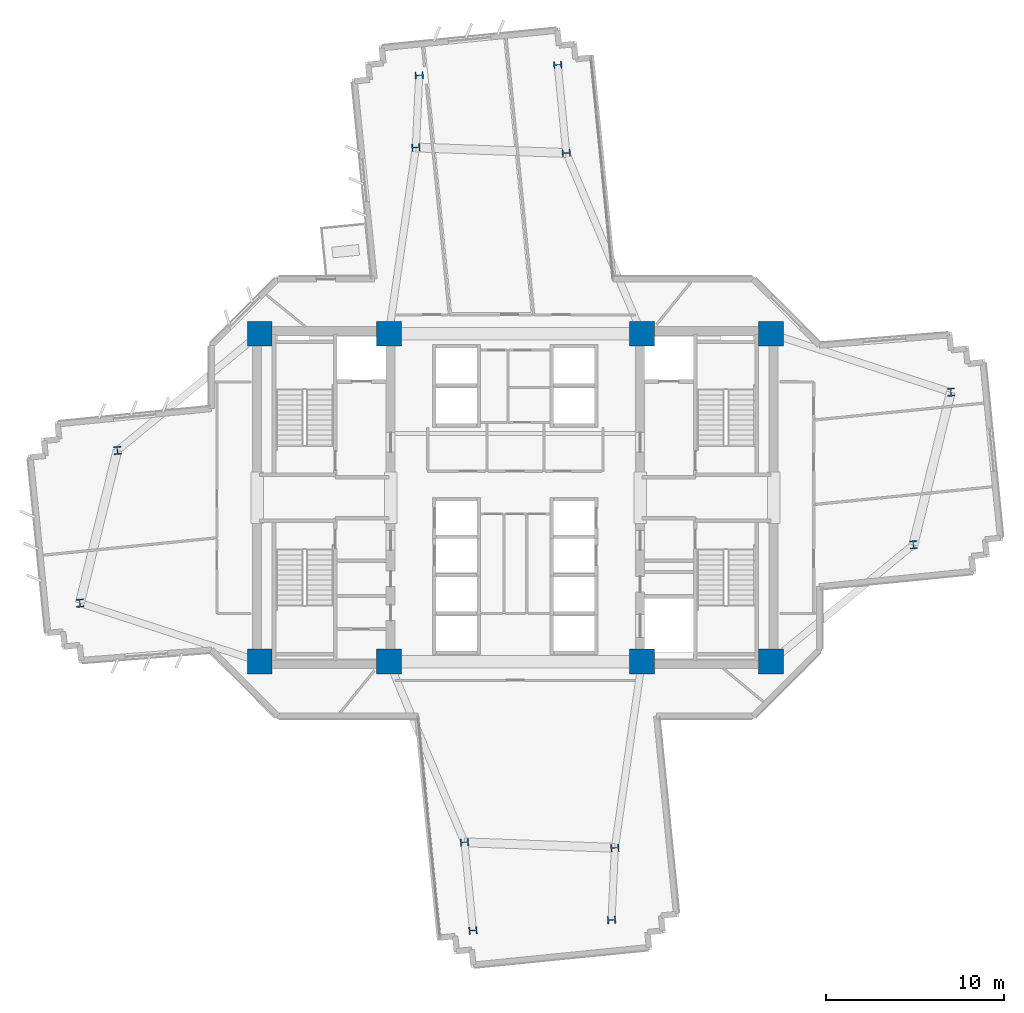
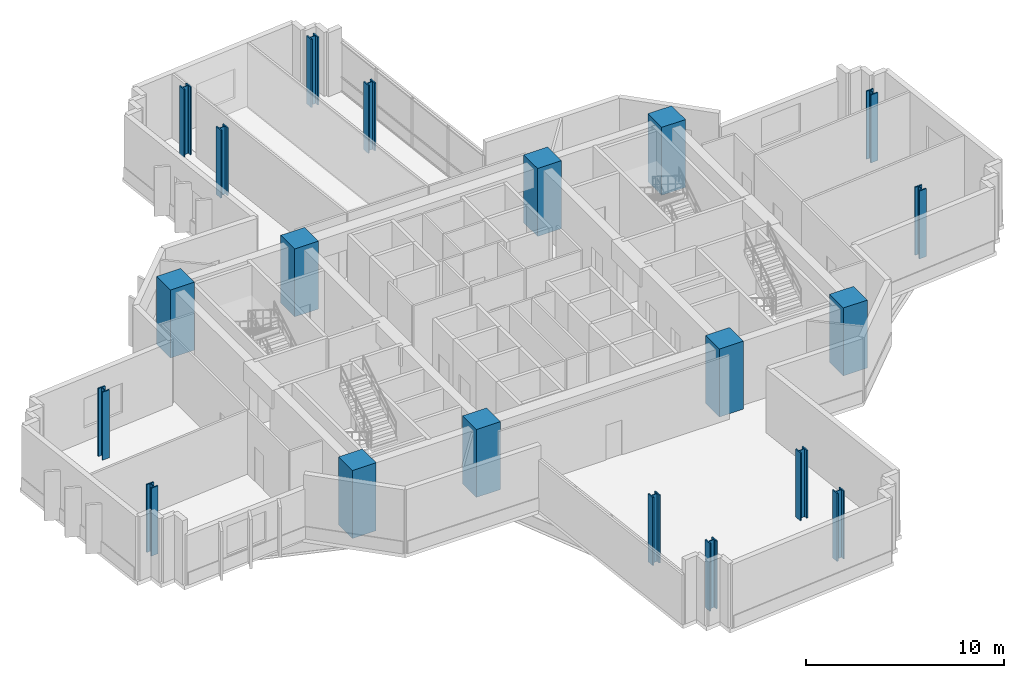
# One storey, part 1 of 14: 20 columns.
"""IFC4 building model written with IfcOpenShell, lengths in metres."""

from ifc_helpers import new_model, si_unit, direction, frame, origin, origin_2d, place, context, subcontext, project, spatial, rectangle, i_section, extrude, source, transform, mapped, material, material_profile, profile_set, type_object, element, save


model = new_model("IFC4")

# Units and contexts
model_context = context("Model", 3, precision=1e-05, world=origin(), true_north=direction((0.0, 1.0)))
body_context = subcontext(model_context, "Body", "Model", "MODEL_VIEW")
ifc_project = project(units=[si_unit("LENGTHUNIT", "METRE"), si_unit("AREAUNIT", "SQUARE_METRE"), si_unit("VOLUMEUNIT", "CUBIC_METRE"), si_unit("PLANEANGLEUNIT", "RADIAN"), si_unit("MASSUNIT", "GRAM", prefix="KILO")], contexts=[model_context])

# Site, building, storey
site_placement = place(None, origin())
site = spatial("IfcSite", under=ifc_project, at=site_placement, CompositionType="ELEMENT")
building_placement = place(site_placement, origin())
building = spatial("IfcBuilding", under=site, at=building_placement, Name="Zahravan Cultural Tower", CompositionType="ELEMENT")
storey_placement = place(building_placement, frame((0.0, 0.0, 92.10009765625)))
storey = spatial("IfcBuildingStorey", under=building, at=storey_placement, Name="L20", CompositionType="ELEMENT", Elevation=92.10009765625)

# Columns
ifc_material_1 = material(Name="Concrete C60/75", Category="concrete")
ifc_material_profile_1 = material_profile(ifc_material_1, rectangle(XDim=1.39990234375, YDim=1.39990234375, at=origin_2d()), Name="RC1400X1400")
ifc_profile_set_1 = profile_set([ifc_material_profile_1], Name="Concrete C60/75")
column_type_1 = type_object("IfcColumnType", Name="COL-RC1400", PredefinedType="COLUMN", material=ifc_profile_set_1)
shared_shape_1 = source(origin(), body_context, "Body", "SweptSolid", [
    extrude(rectangle(XDim=1.39990234375, YDim=1.39990234375, at=origin_2d()), origin(), (0.0, 0.0, 1.0), 4.199951171875),
])
for number, where, z_axis, x_axis, name in (
    (1, (21.64990234375, 17.800048828125, 0.0), (0.0, 0.0, 1.0), (1.0, 0.0, 0.0), "L20 Column CC-W1"),
    (2, (28.89990234375, 17.800048828125, 0.0), (0.0, 0.0, 1.0), (1.0, 0.0, 0.0), "L20 Column CC-W2"),
    (3, (21.64990234375, 36.199951171875, 0.0), (0.0, 0.0, 1.0), (1.0, 0.0, 0.0), "L20 Column CC-W3"),
    (4, (28.89990234375, 36.199951171875, 0.0), (0.0, 0.0, 1.0), (1.0, 0.0, 0.0), "L20 Column CC-W4"),
    (5, (43.10009765625, 17.800048828125, 0.0), (0.0, 0.0, 1.0), (1.0, 0.0, 0.0), "L20 Column CC-E1"),
    (6, (50.35009765625, 17.800048828125, 0.0), (0.0, 0.0, 1.0), (1.0, 0.0, 0.0), "L20 Column CC-E2"),
    (7, (43.10009765625, 36.199951171875, 0.0), (0.0, 0.0, 1.0), (1.0, 0.0, 0.0), "L20 Column CC-E3"),
    (8, (50.35009765625, 36.199951171875, 0.0), (0.0, 0.0, 1.0), (1.0, 0.0, 0.0), "L20 Column CC-E4"),
):
    element("IfcColumn", number, at=place(storey_placement, frame(where, z_axis=z_axis, x_axis=x_axis)), inside=storey, type_object=column_type_1, Name=name, PredefinedType="COLUMN", context=body_context, shape_type="MappedRepresentation", body=[
        mapped(shared_shape_1, transform((0.0, 0.0, 0.0), x_axis=(1.0, 0.0, 0.0), y_axis=(0.0, 1.0, 0.0), z_axis=(0.0, 0.0, 1.0), scale=1.0)),
    ])
ifc_material_2 = material(Name="Steel ASTM A992 Grade 50", Category="steel")
ifc_material_profile_2 = material_profile(ifc_material_2, i_section(OverallWidth=0.4208984375, OverallDepth=0.465087890625, WebThickness=0.044921875, FlangeThickness=0.072509765625, FilletRadius=0.01806640625, at=origin_2d()), Name="W14X398")
ifc_profile_set_2 = profile_set([ifc_material_profile_2], Name="Steel ASTM A992 Grade 50")
column_type_2 = type_object("IfcColumnType", Name="COL-W14X398", PredefinedType="COLUMN", material=ifc_profile_set_2)
shared_shape_2 = source(origin(), body_context, "Body", "SweptSolid", [
    extrude(i_section(OverallWidth=0.4208984375, OverallDepth=0.465087890625, WebThickness=0.044921875, FlangeThickness=0.072509765625, FilletRadius=0.01806640625, at=origin_2d()), origin(), (0.0, 0.0, 1.0), 4.199951171875),
])
for number, where, z_axis, x_axis, name in (
    (9, (58.339111328125, 24.351806640625, 0.0), (0.0, 0.0, 1.0), (0.99756405026, 0.069756473744, 0.0), "L20 Column Z1C-E1"),
    (10, (60.446533203125, 32.919677734375, 0.0), (0.0, 0.0, 1.0), (0.99756405026, 0.069756473744, 0.0), "L20 Column Z1C-E2"),
    (11, (38.857421875, 46.346435546875, 0.0), (0.0, 0.0, 1.0), (-0.069756473744, 0.99756405026, 0.0), "L20 Column Z1C-N1"),
    (12, (30.4150390625, 46.658203125, 0.0), (0.0, 0.0, 1.0), (-0.069756473744, 0.99756405026, 0.0), "L20 Column Z1C-N2"),
    (13, (13.660888671875, 29.648193359375, 0.0), (0.0, 0.0, 1.0), (0.99756405026, 0.069756473744, 0.0), "L20 Column Z1C-W1"),
    (14, (11.553466796875, 21.080322265625, 0.0), (0.0, 0.0, 1.0), (0.99756405026, 0.069756473744, 0.0), "L20 Column Z1C-W2"),
    (15, (33.142578125, 7.653564453125, 0.0), (0.0, 0.0, 1.0), (-0.069756473744, 0.99756405026, 0.0), "L20 Column Z1C-S1"),
    (16, (41.5849609375, 7.341796875, 0.0), (0.0, 0.0, 1.0), (-0.069756473744, 0.99756405026, 0.0), "L20 Column Z1C-S2"),
    (17, (38.379150390625, 51.29736328125, 0.0), (0.0, 0.0, 1.0), (-0.062790519529, 0.998026728428, 0.0), "L20 Column Z1T-N1"),
    (18, (30.6005859375, 50.707763671875, 0.0), (0.0, 0.0, 1.0), (-0.062790519529, 0.998026728428, 0.0), "L20 Column Z1T-N2"),
    (19, (33.620849609375, 2.70263671875, 0.0), (0.0, 0.0, 1.0), (-0.062790519529, 0.998026728428, 0.0), "L20 Column Z1T-S1"),
    (20, (41.3994140625, 3.292236328125, 0.0), (0.0, 0.0, 1.0), (-0.062790519529, 0.998026728428, 0.0), "L20 Column Z1T-S2"),
):
    element("IfcColumn", number, at=place(storey_placement, frame(where, z_axis=z_axis, x_axis=x_axis)), inside=storey, type_object=column_type_2, Name=name, PredefinedType="COLUMN", context=body_context, shape_type="MappedRepresentation", body=[
        mapped(shared_shape_2, transform((0.0, 0.0, 0.0), x_axis=(1.0, 0.0, 0.0), y_axis=(0.0, 1.0, 0.0), z_axis=(0.0, 0.0, 1.0), scale=1.0)),
    ])

save(model, "model.ifc")
